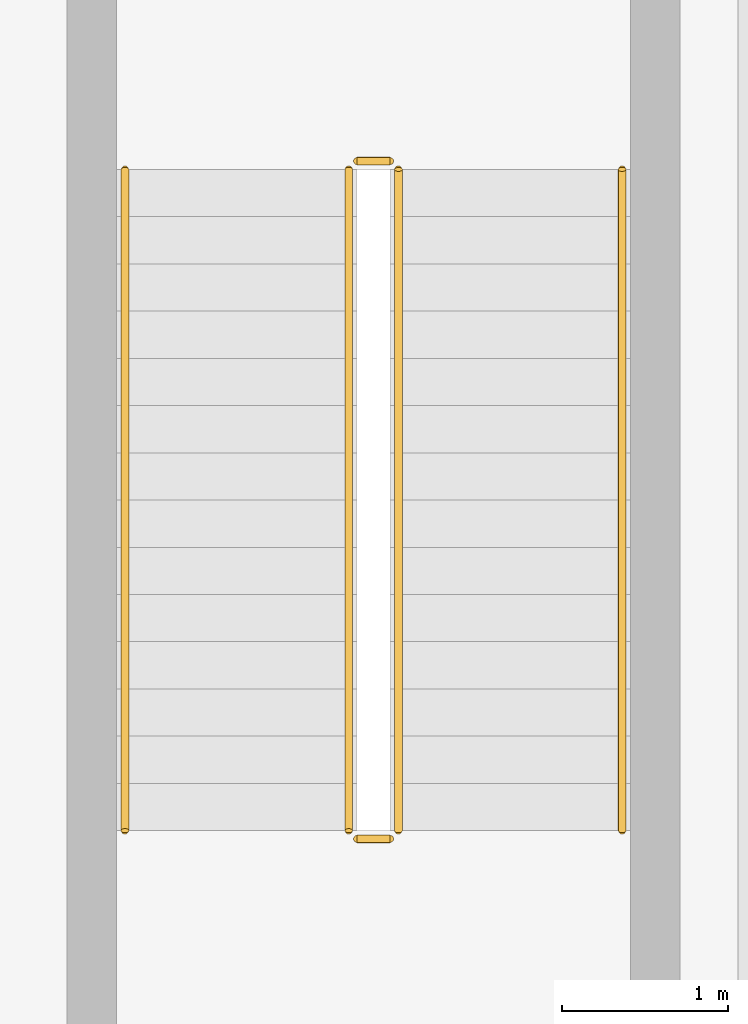
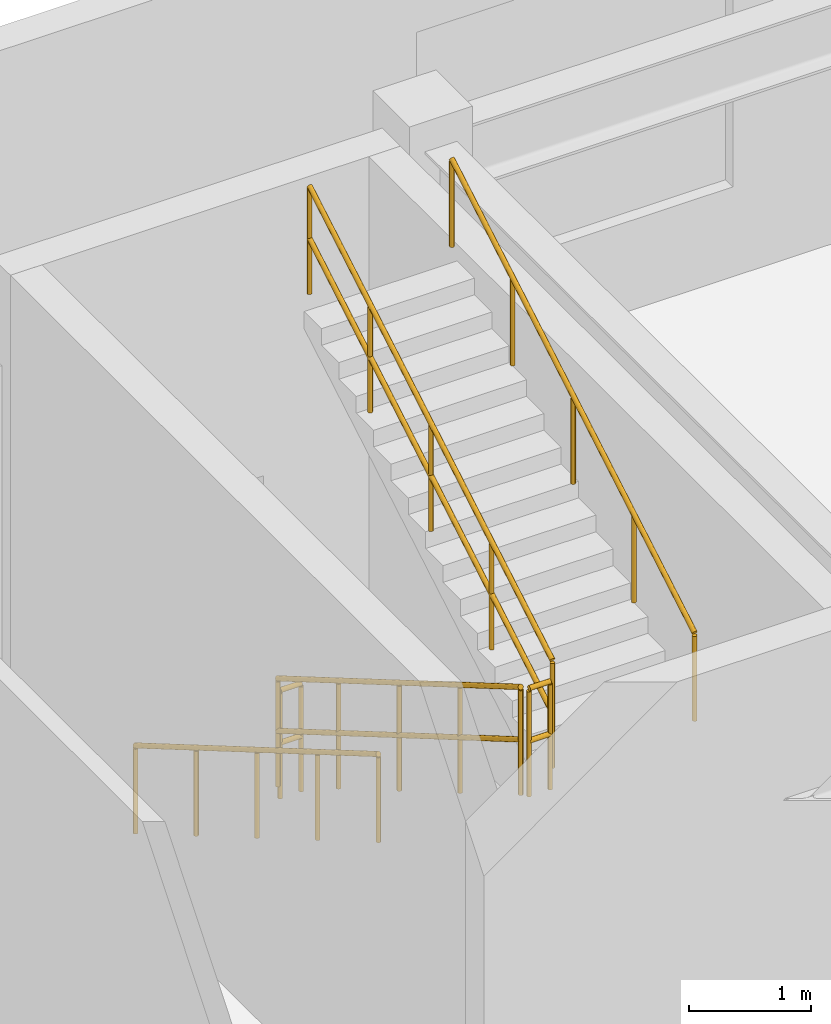
# One storey, part 8 of 9: 6 railings.
"""IFC4 building model written with IfcOpenShell, lengths in metres."""

from ifc_helpers import new_model, si_unit, direction, frame, origin, origin_2d, place, context, subcontext, project, spatial, circle, extrude, material, layer, layer_set, type_object, element, save


model = new_model("IFC4")

# Units and contexts
model_context = context("Model", 3, precision=1e-05, world=origin(), true_north=direction((0.0, 1.0)))
body_context = subcontext(model_context, "Body", "Model", "MODEL_VIEW")
ifc_project = project(units=[si_unit("LENGTHUNIT", "METRE"), si_unit("AREAUNIT", "SQUARE_METRE"), si_unit("VOLUMEUNIT", "CUBIC_METRE"), si_unit("PLANEANGLEUNIT", "RADIAN"), si_unit("MASSUNIT", "GRAM", prefix="KILO")], contexts=[model_context])

# Site, building, storey
site_placement = place(None, origin())
site = spatial("IfcSite", under=ifc_project, at=site_placement, CompositionType="ELEMENT")
building_placement = place(site_placement, origin())
building = spatial("IfcBuilding", under=site, at=building_placement, Name="Krantzveldt Concourse Tower", CompositionType="ELEMENT")
storey_placement = place(building_placement, frame((0.0, 0.0, 10.39990234375)))
storey = spatial("IfcBuildingStorey", under=building, at=storey_placement, Name="L02", CompositionType="ELEMENT", Elevation=10.39990234375)

# Railings
ifc_material = material(Name="Stainless steel 316L", Category="steel")
ifc_layer_1 = layer(ifc_material, 0.06005859375, Name="Stainless steel 316L", Category="steel")
ifc_layer_set_1 = layer_set([ifc_layer_1], Name="Stainless steel 316L (RL-GUARD-1120)")
railing_type_1 = type_object("IfcRailingType", Name="RL-GUARD-1120", PredefinedType="GUARDRAIL", material=ifc_layer_set_1)
railing_1_placement = place(storey_placement, frame((58.0, 48.14990234375, 0.166748046875)))
element("IfcRailing", 1, at=railing_1_placement, inside=storey, type_object=railing_type_1, Name="L02 ST-4 stair guard 1", PredefinedType="GUARDRAIL", context=body_context, shape_type="SweptSolid", body=[
    extrude(circle(Radius=0.02392578125, at=origin_2d()), frame((0.0, 0.0, 1.076171875), z_axis=(0.0, -0.863236243904, 0.504800145811), x_axis=(1.0, 0.0, 0.0)), (0.0, 0.0, 1.0), 4.6220703125),
    extrude(circle(Radius=0.02392578125, at=origin_2d()), frame((0.0, 0.0, 0.550048828125), z_axis=(0.0, -0.863236243904, 0.504800145811), x_axis=(1.0, 0.0, 0.0)), (0.0, 0.0, 1.0), 4.6220703125),
    extrude(circle(Radius=0.02099609375, at=origin_2d()), origin(), (0.0, 0.0, 1.0), 1.052001953125),
    extrude(circle(Radius=0.02099609375, at=origin_2d()), frame((0.0, -0.99755859375, 0.583251953125)), (0.0, 0.0, 1.0), 1.052001953125),
    extrude(circle(Radius=0.02099609375, at=origin_2d()), frame((0.0, -1.9951171875, 1.16650390625)), (0.0, 0.0, 1.0), 1.052001953125),
    extrude(circle(Radius=0.02099609375, at=origin_2d()), frame((0.0, -2.992431640625, 1.75)), (0.0, 0.0, 1.0), 1.052001953125),
    extrude(circle(Radius=0.02099609375, at=origin_2d()), frame((0.0, -3.989990234375, 2.333251953125)), (0.0, 0.0, 1.0), 1.052001953125),
])
railing_2_placement = place(storey_placement, frame((58.050048828125, 44.110107421875, 2.5)))
element("IfcRailing", 2, at=railing_2_placement, inside=storey, type_object=railing_type_1, Name="L02 ST-4 stair guard 2", PredefinedType="GUARDRAIL", context=body_context, shape_type="SweptSolid", body=[
    extrude(circle(Radius=0.02392578125, at=origin_2d()), frame((0.0, 0.0, 1.076171875), z_axis=(1.0, 0.0, 0.0), x_axis=(0.0, 1.0, 0.0)), (0.0, 0.0, 1.0), 0.199951171875),
    extrude(circle(Radius=0.02392578125, at=origin_2d()), frame((0.0, 0.0, 0.550048828125), z_axis=(1.0, 0.0, 0.0), x_axis=(0.0, 1.0, 0.0)), (0.0, 0.0, 1.0), 0.199951171875),
    extrude(circle(Radius=0.02099609375, at=origin_2d()), origin(), (0.0, 0.0, 1.0), 1.052001953125),
    extrude(circle(Radius=0.02099609375, at=origin_2d()), frame((0.199951171875, 0.0, 0.0)), (0.0, 0.0, 1.0), 1.052001953125),
])
railing_3_placement = place(storey_placement, frame((58.300048828125, 44.159912109375, 2.666748046875)))
element("IfcRailing", 3, at=railing_3_placement, inside=storey, type_object=railing_type_1, Name="L02 ST-4 stair guard 3", PredefinedType="GUARDRAIL", context=body_context, shape_type="SweptSolid", body=[
    extrude(circle(Radius=0.02392578125, at=origin_2d()), frame((0.0, 0.0, 1.076171875), z_axis=(0.0, 0.863236243904, 0.504800145811), x_axis=(-1.0, 0.0, 0.0)), (0.0, 0.0, 1.0), 4.6220703125),
    extrude(circle(Radius=0.02392578125, at=origin_2d()), frame((0.0, 0.0, 0.550048828125), z_axis=(0.0, 0.863236243904, 0.504800145811), x_axis=(-1.0, 0.0, 0.0)), (0.0, 0.0, 1.0), 4.6220703125),
    extrude(circle(Radius=0.02099609375, at=origin_2d()), origin(), (0.0, 0.0, 1.0), 1.052001953125),
    extrude(circle(Radius=0.02099609375, at=origin_2d()), frame((0.0, 0.99755859375, 0.583251953125)), (0.0, 0.0, 1.0), 1.052001953125),
    extrude(circle(Radius=0.02099609375, at=origin_2d()), frame((0.0, 1.9951171875, 1.16650390625)), (0.0, 0.0, 1.0), 1.052001953125),
    extrude(circle(Radius=0.02099609375, at=origin_2d()), frame((0.0, 2.992431640625, 1.75)), (0.0, 0.0, 1.0), 1.052001953125),
    extrude(circle(Radius=0.02099609375, at=origin_2d()), frame((0.0, 3.989990234375, 2.333251953125)), (0.0, 0.0, 1.0), 1.052001953125),
])
railing_4_placement = place(storey_placement, frame((58.050048828125, 48.199951171875, 0.0)))
element("IfcRailing", 4, at=railing_4_placement, inside=storey, type_object=railing_type_1, Name="L02 ST-4 stair guard 4", PredefinedType="GUARDRAIL", context=body_context, shape_type="SweptSolid", body=[
    extrude(circle(Radius=0.02392578125, at=origin_2d()), frame((0.0, 0.0, 1.076171875), z_axis=(1.0, 0.0, 0.0), x_axis=(0.0, 1.0, 0.0)), (0.0, 0.0, 1.0), 0.199951171875),
    extrude(circle(Radius=0.02392578125, at=origin_2d()), frame((0.0, 0.0, 0.550048828125), z_axis=(1.0, 0.0, 0.0), x_axis=(0.0, 1.0, 0.0)), (0.0, 0.0, 1.0), 0.199951171875),
    extrude(circle(Radius=0.02099609375, at=origin_2d()), origin(), (0.0, 0.0, 1.0), 1.052001953125),
    extrude(circle(Radius=0.02099609375, at=origin_2d()), frame((0.199951171875, 0.0, 0.0)), (0.0, 0.0, 1.0), 1.052001953125),
])
ifc_layer_2 = layer(ifc_material, 0.050048828125, Name="Stainless steel 316L", Category="steel")
ifc_layer_set_2 = layer_set([ifc_layer_2], Name="Stainless steel 316L (RL-HANDRAIL-920)")
railing_type_2 = type_object("IfcRailingType", Name="RL-HANDRAIL-920", PredefinedType="HANDRAIL", material=ifc_layer_set_2)
railing_5_placement = place(storey_placement, frame((56.64990234375, 48.14990234375, 0.166748046875)))
element("IfcRailing", 5, at=railing_5_placement, inside=storey, type_object=railing_type_2, Name="L02 ST-4 stair handrail 1", PredefinedType="HANDRAIL", context=body_context, shape_type="SweptSolid", body=[
    extrude(circle(Radius=0.02392578125, at=origin_2d()), frame((0.0, 0.0, 0.8759765625), z_axis=(0.0, -0.863236243904, 0.504800145811), x_axis=(1.0, 0.0, 0.0)), (0.0, 0.0, 1.0), 4.6220703125),
    extrude(circle(Radius=0.02099609375, at=origin_2d()), origin(), (0.0, 0.0, 1.0), 0.851806640625),
    extrude(circle(Radius=0.02099609375, at=origin_2d()), frame((0.0, -0.99755859375, 0.583251953125)), (0.0, 0.0, 1.0), 0.851806640625),
    extrude(circle(Radius=0.02099609375, at=origin_2d()), frame((0.0, -1.9951171875, 1.16650390625)), (0.0, 0.0, 1.0), 0.851806640625),
    extrude(circle(Radius=0.02099609375, at=origin_2d()), frame((0.0, -2.992431640625, 1.75)), (0.0, 0.0, 1.0), 0.851806640625),
    extrude(circle(Radius=0.02099609375, at=origin_2d()), frame((0.0, -3.989990234375, 2.333251953125)), (0.0, 0.0, 1.0), 0.851806640625),
])
railing_6_placement = place(storey_placement, frame((59.64990234375, 44.159912109375, 2.666748046875)))
element("IfcRailing", 6, at=railing_6_placement, inside=storey, type_object=railing_type_2, Name="L02 ST-4 stair handrail 2", PredefinedType="HANDRAIL", context=body_context, shape_type="SweptSolid", body=[
    extrude(circle(Radius=0.02392578125, at=origin_2d()), frame((0.0, 0.0, 0.8759765625), z_axis=(0.0, 0.863236243904, 0.504800145811), x_axis=(-1.0, 0.0, 0.0)), (0.0, 0.0, 1.0), 4.6220703125),
    extrude(circle(Radius=0.02099609375, at=origin_2d()), origin(), (0.0, 0.0, 1.0), 0.851806640625),
    extrude(circle(Radius=0.02099609375, at=origin_2d()), frame((0.0, 0.99755859375, 0.583251953125)), (0.0, 0.0, 1.0), 0.851806640625),
    extrude(circle(Radius=0.02099609375, at=origin_2d()), frame((0.0, 1.9951171875, 1.16650390625)), (0.0, 0.0, 1.0), 0.851806640625),
    extrude(circle(Radius=0.02099609375, at=origin_2d()), frame((0.0, 2.992431640625, 1.75)), (0.0, 0.0, 1.0), 0.851806640625),
    extrude(circle(Radius=0.02099609375, at=origin_2d()), frame((0.0, 3.989990234375, 2.333251953125)), (0.0, 0.0, 1.0), 0.851806640625),
])

save(model, "model.ifc")
